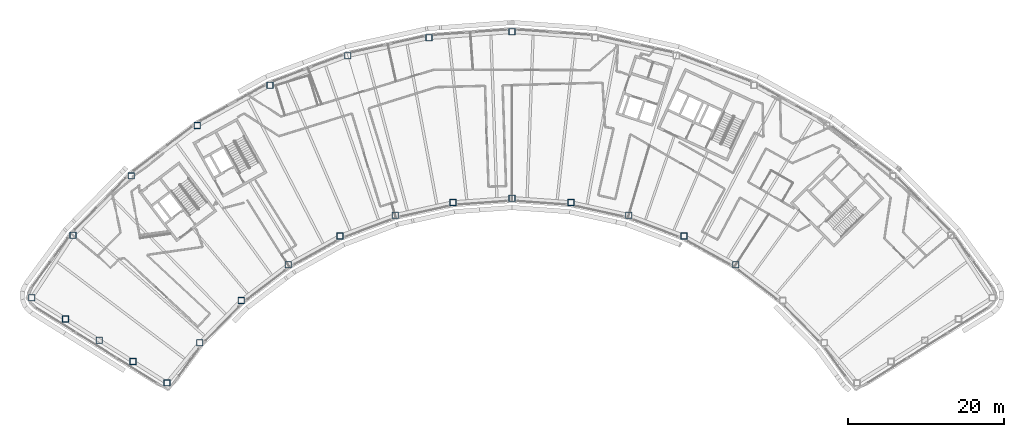
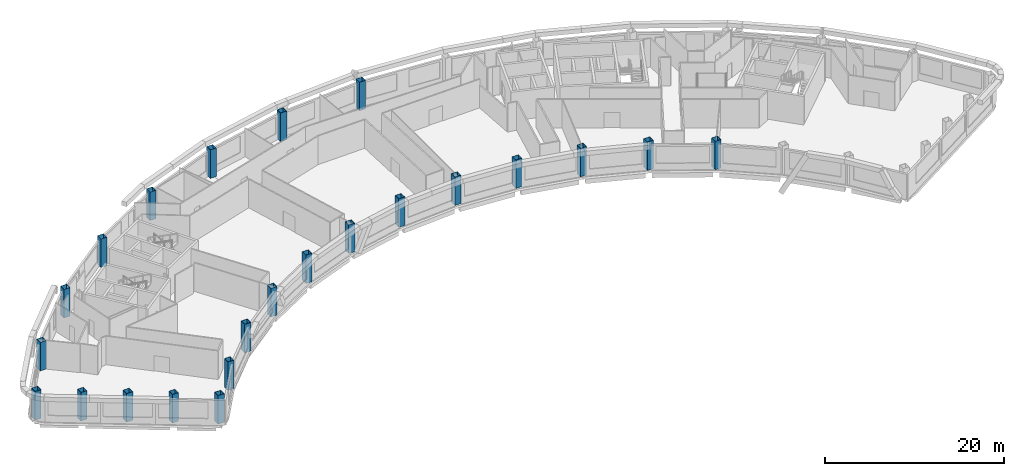
# One storey, part 1 of 13: 23 columns.
"""IFC4 building model written with IfcOpenShell, lengths in metres."""

from ifc_helpers import new_model, si_unit, direction, frame, origin, origin_2d, place, context, subcontext, project, spatial, hollow_rectangle, extrude, material, material_profile, profile_set, type_object, element, save


model = new_model("IFC4")

# Units and contexts
model_context = context("Model", 3, precision=1e-05, world=origin(), true_north=direction((0.0, 1.0)))
body_context = subcontext(model_context, "Body", "Model", "MODEL_VIEW")
ifc_project = project(units=[si_unit("LENGTHUNIT", "METRE"), si_unit("AREAUNIT", "SQUARE_METRE"), si_unit("VOLUMEUNIT", "CUBIC_METRE"), si_unit("PLANEANGLEUNIT", "RADIAN"), si_unit("MASSUNIT", "GRAM", prefix="KILO")], contexts=[model_context])

# Site, building, storey
site_placement = place(None, origin())
site = spatial("IfcSite", under=ifc_project, at=site_placement, CompositionType="ELEMENT")
building_placement = place(site_placement, origin())
building = spatial("IfcBuilding", under=site, at=building_placement, Name="Tuul Gate Civic Tower", CompositionType="ELEMENT")
storey_placement = place(building_placement, frame((0.0, 0.0, 290.0)))
storey = spatial("IfcBuildingStorey", under=building, at=storey_placement, Name="Level 65", CompositionType="ELEMENT", Elevation=290.0)

# Columns
ifc_material = material(Name="Steel S355", Category="steel")
ifc_material_profile = material_profile(ifc_material, hollow_rectangle(XDim=0.800048828125, YDim=0.800048828125, WallThickness=0.031982421875, at=origin_2d()), Name="BOX800x800x32")
ifc_profile_set = profile_set([ifc_material_profile], Name="Steel S355")
column_type = type_object("IfcColumnType", Name="STR-COLUMN-BOX800x800x32", PredefinedType="COLUMN", material=ifc_profile_set)
for number, where, z_axis, x_axis, name in (
    (1, (6.7880859375, 9.23193359375, 0.0), (0.0, 0.0, 1.0), (1.0, 0.0, 0.0), "Column"),
    (2, (-3.861083984375, 8.4599609375, 0.0), (0.0, 0.0, 1.0), (1.0, 0.0, 0.0), "Column"),
    (3, (-14.2880859375, 6.162109375, 0.0), (0.0, 0.0, 1.0), (1.0, 0.0, 0.0), "Column"),
    (4, (-24.27587890625, 2.385009765625, 0.0), (0.0, 0.0, 1.0), (1.0, 0.0, 0.0), "Column"),
    (5, (-33.614013671875, -2.791015625, 0.0), (0.0, 0.0, 1.0), (1.0, 0.0, 0.0), "Column"),
    (6, (-42.10888671875, -9.259033203125, 0.0), (0.0, 0.0, 1.0), (1.0, 0.0, 0.0), "Column"),
    (7, (-49.583984375, -16.884033203125, 0.0), (0.0, 0.0, 1.0), (1.0, 0.0, 0.0), "Column"),
    (8, (-54.883056640625, -24.89697265625, 0.0), (0.0, 0.0, 1.0), (1.0, 0.0, 0.0), "Column"),
    (9, (-50.5400390625, -27.631103515625, 0.0), (0.0, 0.0, 1.0), (1.0, 0.0, 0.0), "Column"),
    (10, (-46.197998046875, -30.365966796875, 0.0), (0.0, 0.0, 1.0), (1.0, 0.0, 0.0), "Column"),
    (11, (-41.85498046875, -33.10009765625, 0.0), (0.0, 0.0, 1.0), (1.0, 0.0, 0.0), "Column"),
    (12, (-37.512939453125, -35.8349609375, 0.0), (0.0, 0.0, 1.0), (1.0, 0.0, 0.0), "Column"),
    (13, (-33.29296875, -30.693115234375, 0.0), (0.0, 0.0, 1.0), (1.0, 0.0, 0.0), "Column"),
    (14, (-27.97900390625, -25.27099609375, 0.0), (0.0, 0.0, 1.0), (1.0, 0.0, 0.0), "Column"),
    (15, (-21.93798828125, -20.672119140625, 0.0), (0.0, 0.0, 1.0), (1.0, 0.0, 0.0), "Column"),
    (16, (-15.298095703125, -16.991943359375, 0.0), (0.0, 0.0, 1.0), (1.0, 0.0, 0.0), "Column"),
    (17, (-8.197998046875, -14.306884765625, 0.0), (0.0, 0.0, 1.0), (1.0, 0.0, 0.0), "Column"),
    (18, (-0.783935546875, -12.673095703125, 0.0), (0.0, 0.0, 1.0), (1.0, 0.0, 0.0), "Column"),
    (19, (6.7880859375, -12.1240234375, 0.0), (0.0, 0.0, 1.0), (1.0, 0.0, 0.0), "Column"),
    (20, (14.360107421875, -12.673095703125, 0.0), (0.0, 0.0, 1.0), (1.0, 0.0, 0.0), "Column"),
    (21, (21.77392578125, -14.306884765625, 0.0), (0.0, 0.0, 1.0), (1.0, 0.0, 0.0), "Column"),
    (22, (28.875, -16.991943359375, 0.0), (0.0, 0.0, 1.0), (1.0, 0.0, 0.0), "Column"),
    (23, (35.514892578125, -20.672119140625, 0.0), (0.0, 0.0, 1.0), (1.0, 0.0, 0.0), "Column"),
):
    element("IfcColumn", number, at=place(storey_placement, frame(where, z_axis=z_axis, x_axis=x_axis)), inside=storey, type_object=column_type, Name=name, PredefinedType="COLUMN", context=body_context, shape_type="SweptSolid", body=[
        extrude(hollow_rectangle(XDim=0.800048828125, YDim=0.800048828125, WallThickness=0.031982421875, at=origin_2d()), origin(), (0.0, 0.0, 1.0), 3.89990234375),
    ])

save(model, "model.ifc")
